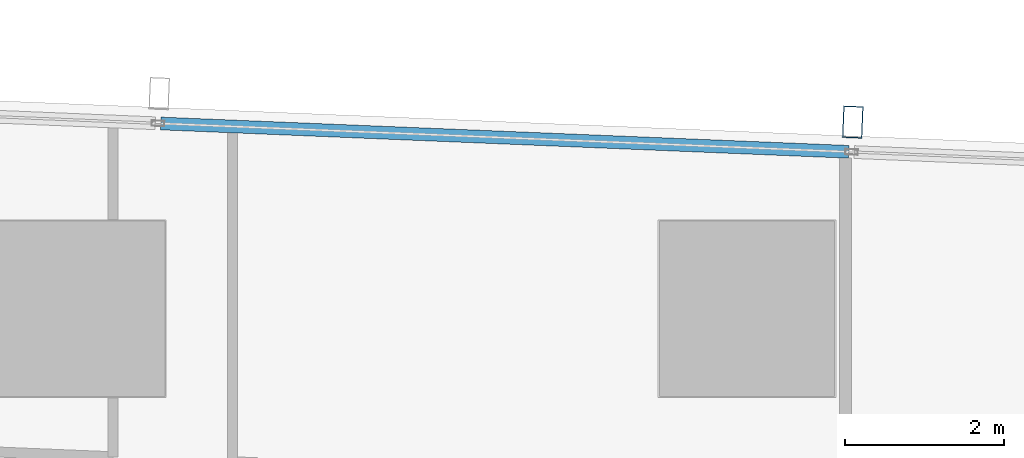
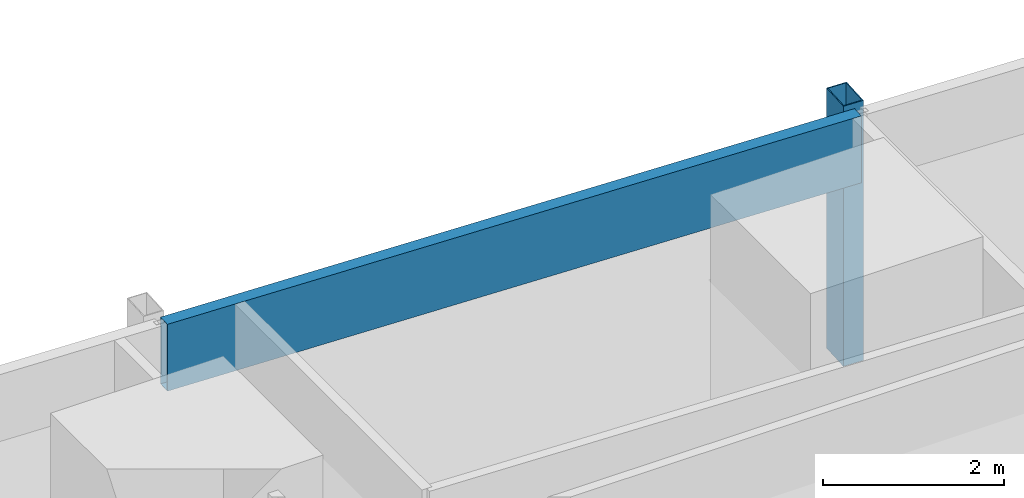
# One storey, part 24 of 42: 2 members, 1 element without a shape of its own.
"""IFC4 building model written with IfcOpenShell, lengths in metres."""

from ifc_helpers import new_model, si_unit, direction, frame, origin, origin_2d, place, context, subcontext, project, spatial, hollow_rectangle, extrude, material, material_profile, profile_set, type_object, element, aggregate, save


model = new_model("IFC4")

# Units and contexts
model_context = context("Model", 3, precision=1e-05, world=origin(), true_north=direction((0.0, 1.0)))
body_context = subcontext(model_context, "Body", "Model", "MODEL_VIEW")
ifc_project = project(units=[si_unit("LENGTHUNIT", "METRE"), si_unit("AREAUNIT", "SQUARE_METRE"), si_unit("VOLUMEUNIT", "CUBIC_METRE"), si_unit("PLANEANGLEUNIT", "RADIAN"), si_unit("MASSUNIT", "GRAM", prefix="KILO")], contexts=[model_context])

# Site, building, storey
site_placement = place(None, origin())
site = spatial("IfcSite", under=ifc_project, at=site_placement, CompositionType="ELEMENT")
building_placement = place(site_placement, origin())
building = spatial("IfcBuilding", under=site, at=building_placement, Name="Rekha Terrace Tower", CompositionType="ELEMENT")
storey_placement = place(building_placement, frame((0.0, 0.0, 40.39990234375)))
storey = spatial("IfcBuildingStorey", under=building, at=storey_placement, Name="L09", CompositionType="ELEMENT", Elevation=40.39990234375)

# Curtain wall, members
ifc_material_1 = material(Name="Aluminium framing", Category="aluminium")
curtain_wall_type = type_object("IfcCurtainWallType", Name="CW3 north unitised glazing", PredefinedType="USERDEFINED", material=ifc_material_1)
curtain_wall_placement = place(storey_placement, origin())
curtain_wall = element("IfcCurtainWall", 1, at=curtain_wall_placement, inside=storey, type_object=curtain_wall_type, Name="CW3 unitised curtain wall", ObjectType="UNITISED CURTAIN WALL", PredefinedType="USERDEFINED")
ifc_material_2 = material(Name="Steel S355 with fluorocarbon finish", Category="steel")
ifc_material_profile_1 = material_profile(ifc_material_2, hollow_rectangle(XDim=0.25, YDim=0.39990234375, WallThickness=0.012451171875, at=origin_2d()), Name="RHS400x250x12.5")
ifc_profile_set_1 = profile_set([ifc_material_profile_1], Name="Steel S355 with fluorocarbon finish")
member_type_1 = type_object("IfcMemberType", Name="BL1 facade blade RHS 400 x 250", PredefinedType="USERDEFINED", material=ifc_profile_set_1)
member_1_placement = place(storey_placement, frame((60.126953125, 61.140869140625, 0.0), z_axis=(0.0, 0.0, 1.0), x_axis=(-0.99915196507, 0.041174636562, 0.0)))
member_1 = element("IfcMember", 2, at=member_1_placement, type_object=member_type_1, Name="Facade blade", ObjectType="FACADE BLADE", PredefinedType="USERDEFINED", context=body_context, shape_type="SweptSolid", body=[
    extrude(hollow_rectangle(XDim=0.25, YDim=0.39990234375, WallThickness=0.012451171875, at=origin_2d()), origin(), (0.0, 0.0, 1.0), 3.5),
])
ifc_material_3 = material(Name="Insulated aluminium spandrel box", Category="aluminium")
ifc_material_profile_2 = material_profile(ifc_material_3, hollow_rectangle(XDim=0.159912109375, YDim=0.89990234375, WallThickness=0.0029296875, at=origin_2d()), Name="AL SPANDREL BOX 160x900")
ifc_profile_set_2 = profile_set([ifc_material_profile_2], Name="Insulated aluminium spandrel box")
member_type_2 = type_object("IfcMemberType", Name="CW3 spandrel transom 160 x 900", PredefinedType="USERDEFINED", material=ifc_profile_set_2)
member_2_placement = place(storey_placement, frame((60.07666015625, 60.767578125, 3.050048828125), z_axis=(-0.999152128669, 0.041170666459, 0.0), x_axis=(-0.041170666459, -0.999152128669, 0.0)))
member_2 = element("IfcMember", 3, at=member_2_placement, type_object=member_type_2, Name="CW3 spandrel transom 2", ObjectType="TRANSOM", PredefinedType="USERDEFINED", context=body_context, shape_type="SweptSolid", body=[
    extrude(hollow_rectangle(XDim=0.159912109375, YDim=0.89990234375, WallThickness=0.0029296875, at=origin_2d()), origin(), (0.0, 0.0, 1.0), 8.634033203125),
])
aggregate(curtain_wall, [member_2, member_1])

save(model, "model.ifc")
